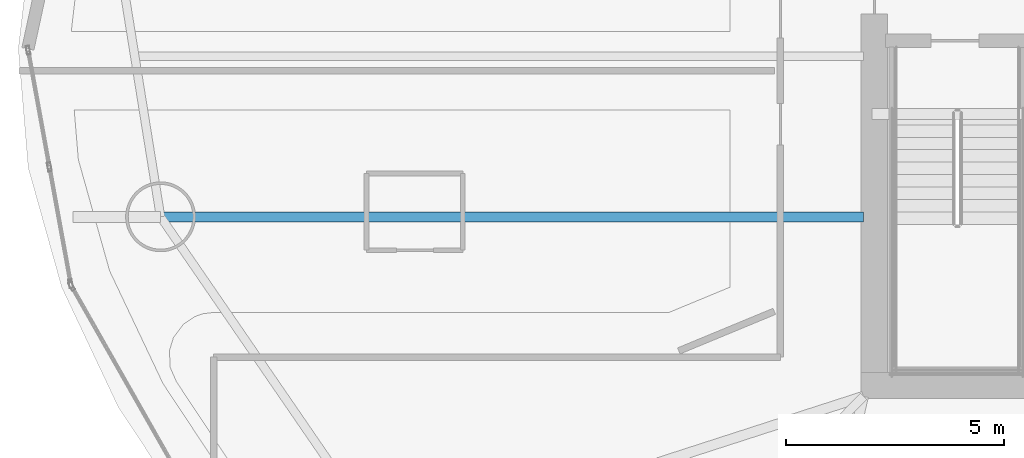
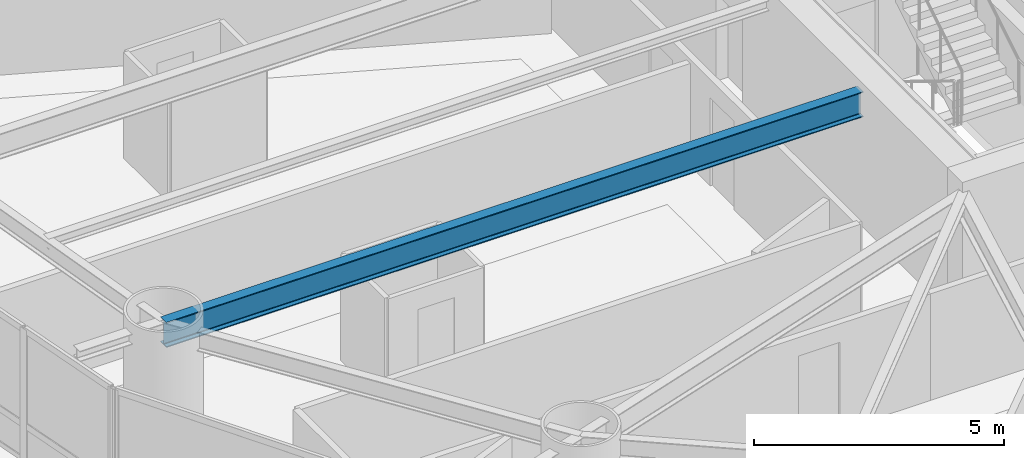
# One storey, part 6 of 27: 1 beam.
"""IFC4 building model written with IfcOpenShell, lengths in metres."""

from ifc_helpers import new_model, si_unit, direction, frame, origin, origin_2d, place, context, subcontext, project, spatial, i_section, extrude, material, material_profile, profile_set, type_object, element, save


model = new_model("IFC4")

# Units and contexts
model_context = context("Model", 3, precision=1e-05, world=origin(), true_north=direction((0.0, 1.0)))
body_context = subcontext(model_context, "Body", "Model", "MODEL_VIEW")
ifc_project = project(units=[si_unit("LENGTHUNIT", "METRE"), si_unit("AREAUNIT", "SQUARE_METRE"), si_unit("VOLUMEUNIT", "CUBIC_METRE"), si_unit("PLANEANGLEUNIT", "RADIAN"), si_unit("MASSUNIT", "GRAM", prefix="KILO")], contexts=[model_context])

# Site, building, storey
site_placement = place(None, origin())
site = spatial("IfcSite", under=ifc_project, at=site_placement, CompositionType="ELEMENT")
building_placement = place(site_placement, origin())
building = spatial("IfcBuilding", under=site, at=building_placement, Name="Bramvorn Convention Spire", CompositionType="ELEMENT")
storey_placement = place(building_placement, frame((0.0, 0.0, 41.39990234375)))
storey = spatial("IfcBuildingStorey", under=building, at=storey_placement, Name="L07", CompositionType="ELEMENT", Elevation=41.39990234375)

# Beam
ifc_material = material(Name="Steel CSA G40.21 Grade 350 (350W)", Category="steel")
ifc_material_profile = material_profile(ifc_material, i_section(OverallWidth=0.22998046875, OverallDepth=0.616943359375, WebThickness=0.01318359375, FlangeThickness=0.022216796875, FilletRadius=0.02001953125, at=origin_2d()))
ifc_profile_set = profile_set([ifc_material_profile], Name="Steel CSA G40.21 Grade 350 (350W) - W610X140")
beam_type = type_object("IfcBeamType", Name="BM-W610X140", PredefinedType="BEAM", material=ifc_profile_set)
beam_placement = place(storey_placement, frame((26.75, 22.659912109375, 2.941650390625), z_axis=(-1.0, 0.0, 0.0), x_axis=(0.0, -1.0, 0.0)))
element("IfcBeam", 1, at=beam_placement, inside=storey, type_object=beam_type, Name="L07 radial floor girder MC10", PredefinedType="BEAM", context=body_context, shape_type="SweptSolid", body=[
    extrude(i_section(OverallWidth=0.22998046875, OverallDepth=0.616943359375, WebThickness=0.01318359375, FlangeThickness=0.022216796875, FilletRadius=0.02001953125, at=origin_2d()), origin(), (0.0, 0.0, 1.0), 16.088623046875),
])

save(model, "model.ifc")
